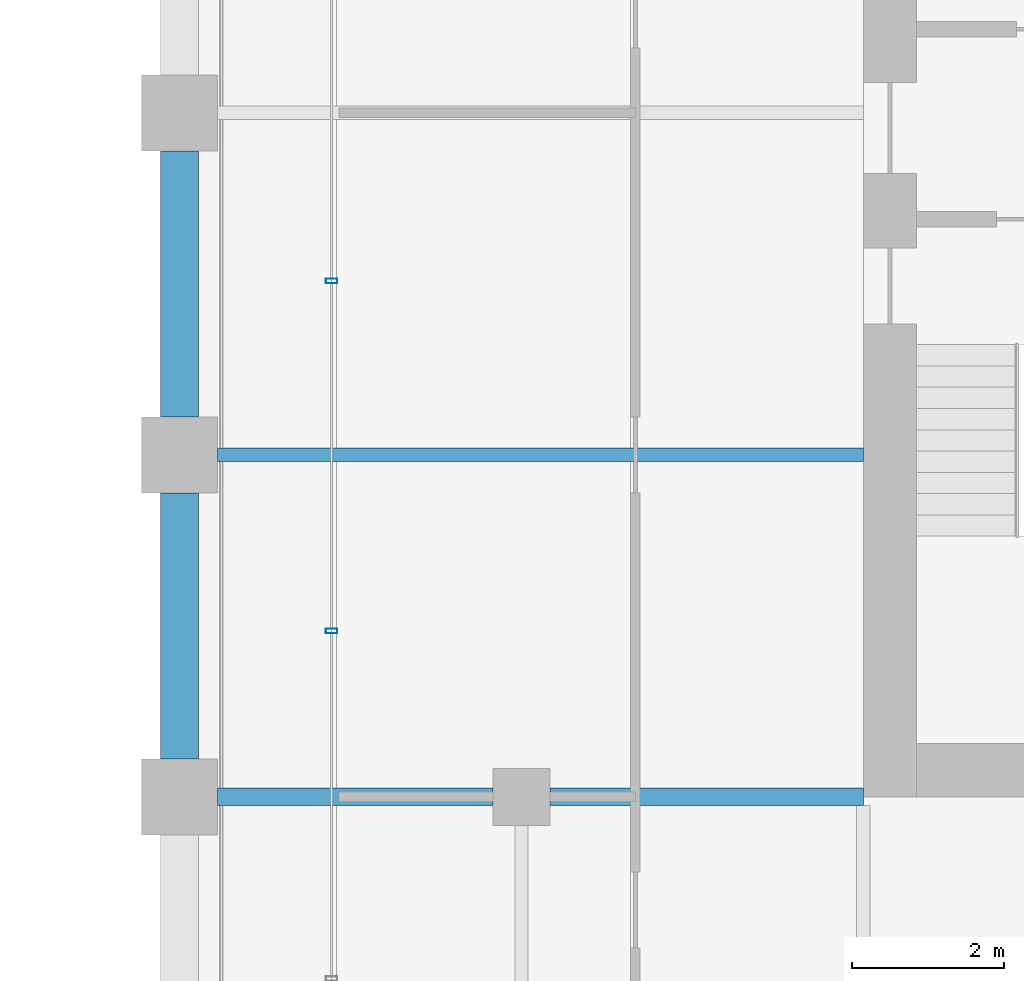
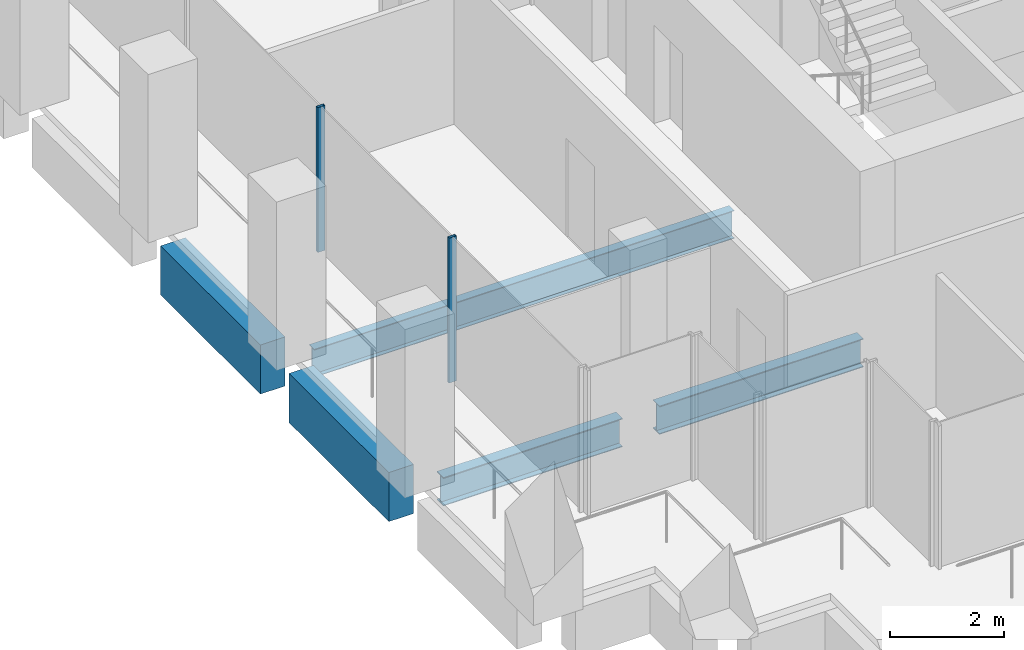
# One storey, part 30 of 46: 5 beams, 2 members, 1 element without a shape of its own.
"""IFC4 building model written with IfcOpenShell, lengths in metres."""

from ifc_helpers import new_model, si_unit, direction, frame, origin, origin_2d, place, context, subcontext, project, spatial, rectangle, hollow_rectangle, i_section, extrude, material, material_profile, profile_set, type_object, element, aggregate, save


model = new_model("IFC4")

# Units and contexts
model_context = context("Model", 3, precision=1e-05, world=origin(), true_north=direction((0.0, 1.0)))
body_context = subcontext(model_context, "Body", "Model", "MODEL_VIEW")
ifc_project = project(units=[si_unit("LENGTHUNIT", "METRE"), si_unit("AREAUNIT", "SQUARE_METRE"), si_unit("VOLUMEUNIT", "CUBIC_METRE"), si_unit("PLANEANGLEUNIT", "RADIAN"), si_unit("MASSUNIT", "GRAM", prefix="KILO")], contexts=[model_context])

# Site, building, storey
site_placement = place(None, origin())
site = spatial("IfcSite", under=ifc_project, at=site_placement, CompositionType="ELEMENT")
building_placement = place(site_placement, origin())
building = spatial("IfcBuilding", under=site, at=building_placement, Name="Altepetl Exchange Towers", CompositionType="ELEMENT")
storey_placement = place(building_placement, frame((0.0, 0.0, 131.60009765625)))
storey = spatial("IfcBuildingStorey", under=building, at=storey_placement, Name="L32", CompositionType="ELEMENT", Elevation=131.60009765625)

# Beams
ifc_material_1 = material(Name="Steel S355", Category="steel")
ifc_material_profile_1 = material_profile(ifc_material_1, i_section(OverallWidth=0.177978515625, OverallDepth=0.59912109375, WebThickness=0.010009765625, FlangeThickness=0.0126953125, at=origin_2d()), Name="W24X55")
ifc_profile_set_1 = profile_set([ifc_material_profile_1], Name="Steel S355")
beam_type_1 = type_object("IfcBeamType", Name="Floor beam W24X55", PredefinedType="BEAM", material=ifc_profile_set_1)
beam_1_placement = place(storey_placement, frame((95.0, 40.5, -0.44970703125), z_axis=(1.0, 0.0, 0.0), x_axis=(0.0, 1.0, 0.0)))
element("IfcBeam", 1, at=beam_1_placement, inside=storey, type_object=beam_type_1, Name="bm:B:L32:008", PredefinedType="BEAM", context=body_context, shape_type="SweptSolid", body=[
    extrude(i_section(OverallWidth=0.177978515625, OverallDepth=0.59912109375, WebThickness=0.010009765625, FlangeThickness=0.0126953125, at=origin_2d()), origin(), (0.0, 0.0, 1.0), 8.5),
])
ifc_material_profile_2 = material_profile(ifc_material_1, i_section(OverallWidth=0.22802734375, OverallDepth=0.60791015625, WebThickness=0.01123046875, FlangeThickness=0.017333984375, at=origin_2d()), Name="W24X76")
ifc_profile_set_2 = profile_set([ifc_material_profile_2], Name="Steel S355")
beam_type_2 = type_object("IfcBeamType", Name="Girder W24X76", PredefinedType="BEAM", material=ifc_profile_set_2)
beam_2_placement = place(storey_placement, frame((103.5, 36.0, -0.4541015625), z_axis=(-1.0, 0.0, 0.0), x_axis=(0.0, -1.0, 0.0)))
element("IfcBeam", 2, at=beam_2_placement, inside=storey, type_object=beam_type_2, Name="gd:B:L32:002", PredefinedType="BEAM", context=body_context, shape_type="SweptSolid", body=[
    extrude(i_section(OverallWidth=0.22802734375, OverallDepth=0.60791015625, WebThickness=0.01123046875, FlangeThickness=0.017333984375, at=origin_2d()), origin(), (0.0, 0.0, 1.0), 4.125),
])
beam_3_placement = place(storey_placement, frame((98.625, 36.0, -0.4541015625), z_axis=(-1.0, 0.0, 0.0), x_axis=(0.0, -1.0, 0.0)))
element("IfcBeam", 3, at=beam_3_placement, inside=storey, type_object=beam_type_2, Name="gd:B:L32:003", PredefinedType="BEAM", context=body_context, shape_type="SweptSolid", body=[
    extrude(i_section(OverallWidth=0.22802734375, OverallDepth=0.60791015625, WebThickness=0.01123046875, FlangeThickness=0.017333984375, at=origin_2d()), origin(), (0.0, 0.0, 1.0), 3.625),
])

# Curtain wall, members
ifc_material_2 = material(Name="Aluminium 6063-T6 glazing", Category="aluminium")
curtain_wall_type = type_object("IfcCurtainWallType", Name="Loggia glazing system", PredefinedType="NOTDEFINED", material=ifc_material_2)
curtain_wall_placement = place(storey_placement, origin())
curtain_wall = element("IfcCurtainWall", 4, at=curtain_wall_placement, inside=storey, type_object=curtain_wall_type, Name="CW1 run", PredefinedType="NOTDEFINED")
ifc_material_3 = material(Name="Aluminium 6063-T6", Category="aluminium")
ifc_material_profile_3 = material_profile(ifc_material_3, hollow_rectangle(XDim=0.06005859375, YDim=0.14990234375, WallThickness=0.0029296875, at=origin_2d()), Name="Mullion 60x150 aluminium")
ifc_profile_set_3 = profile_set([ifc_material_profile_3], Name="Aluminium 6063-T6")
member_type = type_object("IfcMemberType", Name="Mullion 60x150 aluminium", PredefinedType="MULLION", material=ifc_profile_set_3)
member_1_placement = place(storey_placement, frame((96.5, 42.78759765625, 0.0), z_axis=(0.0, 0.0, 1.0), x_axis=(0.0, -1.0, 0.0)))
member_1 = element("IfcMember", 5, at=member_1_placement, type_object=member_type, Name="MU1 mullion", PredefinedType="MULLION", context=body_context, shape_type="SweptSolid", body=[
    extrude(hollow_rectangle(XDim=0.06005859375, YDim=0.14990234375, WallThickness=0.0029296875, at=origin_2d()), origin(), (0.0, 0.0, 1.0), 3.099853515625),
])
member_2_placement = place(storey_placement, frame((96.5, 38.18115234375, 0.0), z_axis=(0.0, 0.0, 1.0), x_axis=(0.0, -1.0, 0.0)))
member_2 = element("IfcMember", 6, at=member_2_placement, type_object=member_type, Name="MU1 mullion", PredefinedType="MULLION", context=body_context, shape_type="SweptSolid", body=[
    extrude(hollow_rectangle(XDim=0.06005859375, YDim=0.14990234375, WallThickness=0.0029296875, at=origin_2d()), origin(), (0.0, 0.0, 1.0), 3.099853515625),
])
aggregate(curtain_wall, [member_1, member_2])

# Beams
ifc_material_4 = material(Name="Concrete C50/60 precast with cantera rosa facing", Category="concrete")
ifc_material_profile_4 = material_profile(ifc_material_4, rectangle(XDim=0.5, YDim=1.050048828125, at=origin_2d()), Name="500 x 1050")
ifc_profile_set_4 = profile_set([ifc_material_profile_4], Name="Concrete C50/60 precast with cantera rosa facing")
beam_type_3 = type_object("IfcBeamType", Name="Spandrel beam 500x1050 cantera rosa", PredefinedType="SPANDREL", material=ifc_profile_set_4)
for number, where, z_axis, x_axis, name in (
    (7, (94.5, 44.5, -0.675048828125), (0.0, -1.0, 0.0), (1.0, 0.0, 0.0), "sp:B:L32:024"),
    (8, (94.5, 40.0, -0.675048828125), (0.0, -1.0, 0.0), (1.0, 0.0, 0.0), "sp:B:L32:025"),
):
    element("IfcBeam", number, at=place(storey_placement, frame(where, z_axis=z_axis, x_axis=x_axis)), inside=storey, type_object=beam_type_3, Name=name, PredefinedType="SPANDREL", context=body_context, shape_type="SweptSolid", body=[
        extrude(rectangle(XDim=0.5, YDim=1.050048828125, at=origin_2d()), origin(), (0.0, 0.0, 1.0), 3.5),
    ])

save(model, "model.ifc")
